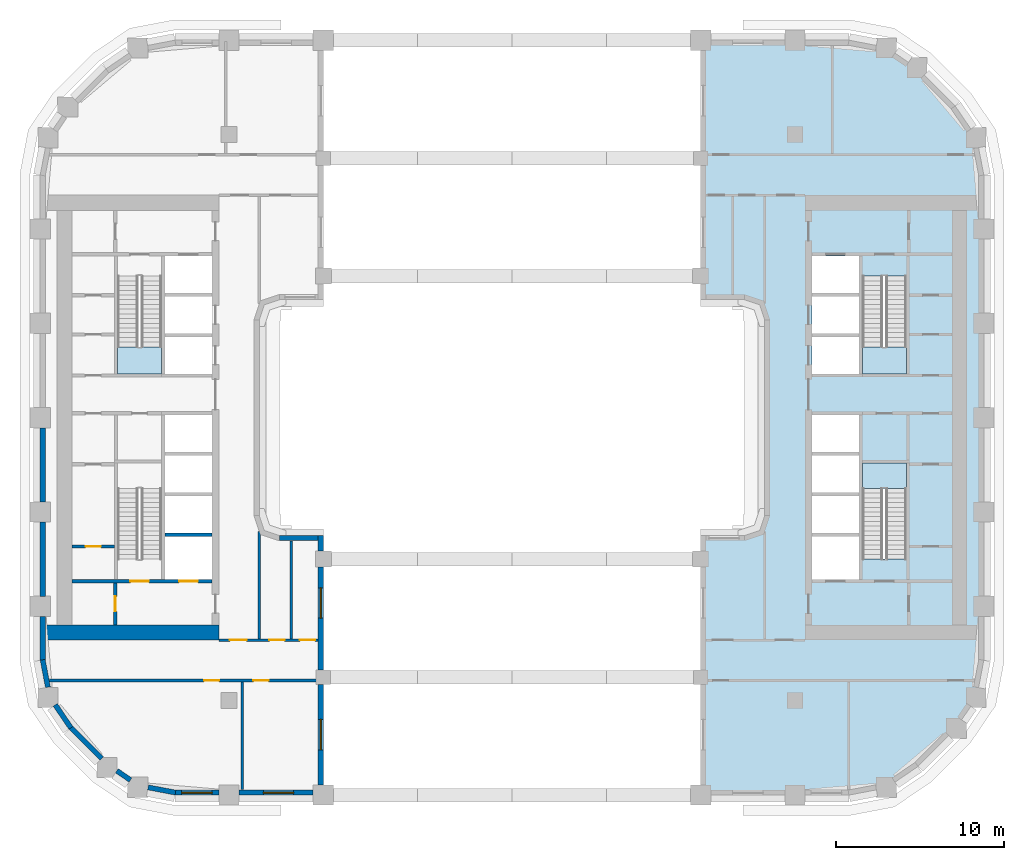
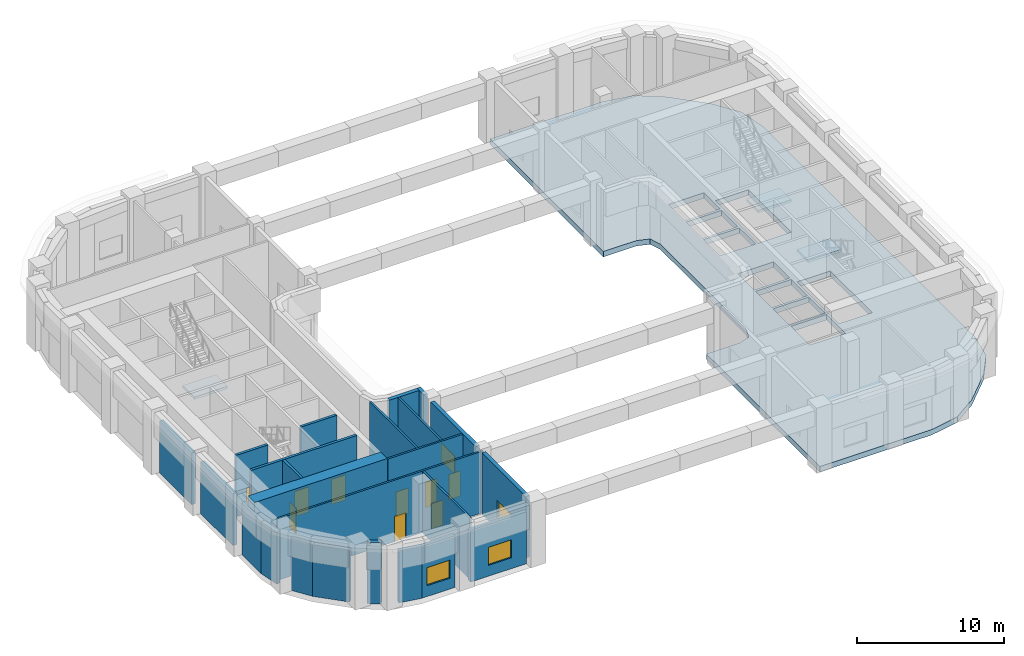
# One storey, part 2 of 14: 24 walls, 9 doors, 4 slabs, 4 windows, 13 openings, 3 elements without a shape of their own.
"""IFC4 building model written with IfcOpenShell, lengths in metres."""

from ifc_helpers import new_model, si_unit, direction, frame, frame_2d, origin, place, context, subcontext, project, spatial, polyline, rectangle, outline, extrude, material, layer, layer_set, type_object, element, fill, aggregate, save


model = new_model("IFC4")

# Units and contexts
model_context = context("Model", 3, precision=1e-05, world=origin(), true_north=direction((0.0, 1.0)))
body_context = subcontext(model_context, "Body", "Model", "MODEL_VIEW")
ifc_project = project(units=[si_unit("LENGTHUNIT", "METRE"), si_unit("AREAUNIT", "SQUARE_METRE"), si_unit("VOLUMEUNIT", "CUBIC_METRE"), si_unit("PLANEANGLEUNIT", "RADIAN"), si_unit("MASSUNIT", "GRAM", prefix="KILO")], contexts=[model_context])

# Site, building, storey
site_placement = place(None, origin())
site = spatial("IfcSite", under=ifc_project, at=site_placement, CompositionType="ELEMENT")
building_placement = place(site_placement, origin())
building = spatial("IfcBuilding", under=site, at=building_placement, Name="Kiln Ring Residences", CompositionType="ELEMENT")
storey_placement = place(building_placement, frame((0.0, 0.0, 130.699951171875)))
storey = spatial("IfcBuildingStorey", under=building, at=storey_placement, Name="L33", CompositionType="ELEMENT", Elevation=130.699951171875)

# Stair, slab
ifc_material_1 = material(Name="Concrete C40/50", Category="concrete")
stair_type = type_object("IfcStairType", Name="CORE-STAIR", PredefinedType="HALF_TURN_STAIR", material=ifc_material_1)
placement_1 = place(storey_placement, origin())
stair_1 = element("IfcStair", 1, at=placement_1, inside=storey, type_object=stair_type, Name="L33 stair W-STN", PredefinedType="HALF_TURN_STAIR")
ifc_material_2 = material(Name="Concrete C40/50", Category="concrete")
ifc_layer_1 = layer(ifc_material_2, 0.199951171875)
ifc_layer_set_1 = layer_set([ifc_layer_1], Name="CORE-STAIR-LANDING")
slab_type_1 = type_object("IfcSlabType", Name="CORE-STAIR-LANDING", PredefinedType="LANDING", material=ifc_layer_set_1)
placement_2 = place(storey_placement, frame((0.0, 0.0, 2.5)))
slab_1 = element("IfcSlab", 2, at=placement_2, type_object=slab_type_1, Name="W-STN landing 1", PredefinedType="LANDING", context=body_context, shape_type="SweptSolid", body=[
    extrude(outline(polyline([(-23.39990234375, 4.199951171875), (-23.39990234375, 2.60009765625), (-20.800048828125, 2.60009765625), (-20.800048828125, 4.199951171875), (-23.39990234375, 4.199951171875)])), origin(), (0.0, 0.0, 1.0), 0.199951171875),
])
aggregate(stair_1, [slab_1])

stair_2 = element("IfcStair", 3, at=placement_1, inside=storey, type_object=stair_type, Name="L33 stair E-STN", PredefinedType="HALF_TURN_STAIR")
slab_2 = element("IfcSlab", 4, at=placement_2, type_object=slab_type_1, Name="E-STN landing 1", PredefinedType="LANDING", context=body_context, shape_type="SweptSolid", body=[
    extrude(outline(polyline([(20.800048828125, 4.199951171875), (20.800048828125, 2.60009765625), (23.39990234375, 2.60009765625), (23.39990234375, 4.199951171875), (20.800048828125, 4.199951171875)])), origin(), (0.0, 0.0, 1.0), 0.199951171875),
])
aggregate(stair_2, [slab_2])

stair_3 = element("IfcStair", 5, at=placement_1, inside=storey, type_object=stair_type, Name="L33 stair E-STS", PredefinedType="HALF_TURN_STAIR")
slab_3 = element("IfcSlab", 6, at=placement_2, type_object=slab_type_1, Name="E-STS landing 1", PredefinedType="LANDING", context=body_context, shape_type="SweptSolid", body=[
    extrude(outline(polyline([(23.39990234375, -4.199951171875), (23.39990234375, -2.699951171875), (20.800048828125, -2.699951171875), (20.800048828125, -4.199951171875), (23.39990234375, -4.199951171875)])), origin(), (0.0, 0.0, 1.0), 0.199951171875),
])
aggregate(stair_3, [slab_3])

# Slab
ifc_material_3 = material(Name="Concrete C40/50", Category="concrete")
ifc_layer_2 = layer(ifc_material_3, 0.449951171875)
ifc_layer_set_2 = layer_set([ifc_layer_2], Name="Floor slab 450")
slab_type_2 = type_object("IfcSlabType", Name="Floor slab 450", PredefinedType="FLOOR", material=ifc_layer_set_2)
slab_4_placement = place(storey_placement, frame((0.0, 0.0, -0.449951171875)))
element("IfcSlab", 7, at=slab_4_placement, inside=storey, type_object=slab_type_2, Name="Floor slab L33 2", PredefinedType="FLOOR", context=body_context, shape_type="SweptSolid", body=[
    extrude(outline(polyline([(13.800048828125, -7.0), (11.199951171875, -7.0), (11.199951171875, -22.39990234375), (20.0, -22.39990234375), (22.224365234375, -21.975830078125), (24.09716796875, -20.702880859375), (26.302978515625, -18.4970703125), (27.57568359375, -16.624267578125), (28.0, -14.39990234375), (28.0, 14.39990234375), (27.57568359375, 16.624267578125), (26.302978515625, 18.4970703125), (24.09716796875, 20.702880859375), (22.224365234375, 21.975830078125), (20.0, 22.39990234375), (11.199951171875, 22.39990234375), (11.199951171875, 7.0), (13.800048828125, 7.0), (14.699951171875, 6.699951171875), (15.0, 5.800048828125), (15.0, -5.800048828125), (14.699951171875, -6.699951171875), (13.800048828125, -7.0)]), holes=[polyline([(20.800048828125, 2.60009765625), (20.800048828125, 8.39794921875), (23.39990234375, 8.39794921875), (23.39990234375, 2.60009765625), (20.800048828125, 2.60009765625)]), polyline([(20.800048828125, -8.39794921875), (20.800048828125, -2.699951171875), (23.39990234375, -2.699951171875), (23.39990234375, -8.39794921875), (20.800048828125, -8.39794921875)]), polyline([(17.800048828125, -9.60009765625), (17.800048828125, -7.050048828125), (20.60009765625, -7.050048828125), (20.60009765625, -9.60009765625), (17.800048828125, -9.60009765625)]), polyline([(17.800048828125, 9.60009765625), (20.60009765625, 9.60009765625), (20.60009765625, 7.39990234375), (17.800048828125, 7.39990234375), (17.800048828125, 9.60009765625)]), polyline([(17.800048828125, 7.199951171875), (20.60009765625, 7.199951171875), (20.60009765625, 5.0), (17.800048828125, 5.0), (17.800048828125, 7.199951171875)]), polyline([(17.800048828125, 2.60009765625), (17.800048828125, 4.800048828125), (20.60009765625, 4.800048828125), (20.60009765625, 2.60009765625), (17.800048828125, 2.60009765625)]), polyline([(17.800048828125, -2.050048828125), (17.800048828125, 0.14990234375), (20.60009765625, 0.14990234375), (20.60009765625, -2.050048828125), (17.800048828125, -2.050048828125)]), polyline([(17.800048828125, -4.449951171875), (17.800048828125, -2.25), (20.60009765625, -2.25), (20.60009765625, -4.449951171875), (17.800048828125, -4.449951171875)]), polyline([(17.800048828125, -6.85009765625), (17.800048828125, -4.64990234375), (20.60009765625, -4.64990234375), (20.60009765625, -6.85009765625), (17.800048828125, -6.85009765625)])]), origin(), (0.0, 0.0, 1.0), 0.449951171875),
])

# Wall, opening, door
ifc_material_4 = material(Name="Gypsum board on steel studs", Category="steel")
ifc_layer_3 = layer(ifc_material_4, 0.199951171875)
ifc_layer_set_3 = layer_set([ifc_layer_3], Name="CORE-PARTITION-200")
wall_type_1 = type_object("IfcWallType", Name="CORE-PARTITION-200", PredefinedType="PARTITIONING", material=ifc_layer_set_3)
wall_1_placement = place(storey_placement, frame((-23.550048828125, -12.300048828125, 0.0), z_axis=(0.0, 0.0, 1.0), x_axis=(0.0, 1.0, 0.0)))
wall_1 = element("IfcWall", 8, at=wall_1_placement, inside=storey, type_object=wall_type_1, Name="Core partition west L33 4", PredefinedType="PARTITIONING", context=body_context, shape_type="SweptSolid", body=[
    extrude(rectangle(XDim=2.5, YDim=0.199951171875, at=frame_2d((1.25, 0.0))), origin(), (0.0, 0.0, 1.0), 5.10009765625),
])
opening_1_placement = place(wall_1_placement, frame((0.800048828125, 0.0, 0.0)))
opening_1 = element("IfcOpeningElement", 9, at=opening_1_placement, cuts=wall_1, Name="Opening L33-CW08", PredefinedType="OPENING", context=body_context, shape_type="SweptSolid", body=[
    extrude(rectangle(XDim=0.89990234375, YDim=2.10009765625, at=frame_2d((0.449951171875, 1.050048828125))), frame((0.0, 0.10986328125, 0.0), z_axis=(0.0, -1.0, 0.0), x_axis=(1.0, 0.0, 0.0)), (0.0, 0.0, 1.0), 0.219970703125),
])
ifc_material_5 = material(Name="Steel door leaf", Category="steel")
door_type_1 = type_object("IfcDoorType", Name="CORE-DOOR-ROOM", OperationType="SINGLE_SWING_LEFT", PredefinedType="DOOR", material=ifc_material_5)
door_1_placement = place(opening_1_placement, origin())
door_1 = element("IfcDoor", 10, at=door_1_placement, inside=storey, type_object=door_type_1, Name="Store L33-CW08", OperationType="SINGLE_SWING_RIGHT", OverallHeight=2.10009765625, OverallWidth=0.89990234375, PredefinedType="DOOR", context=body_context, shape_type="SweptSolid", body=[
    extrude(rectangle(XDim=0.89990234375, YDim=2.10009765625, at=frame_2d((0.449951171875, 1.050048828125))), frame((0.0, 0.02490234375, 0.0), z_axis=(0.0, -1.0, 0.0), x_axis=(1.0, 0.0, 0.0)), (0.0, 0.0, 1.0), 0.050048828125),
])
fill(opening_1, door_1)

wall_2_placement = place(storey_placement, frame((-23.60009765625, -7.64990234375, 0.0), z_axis=(0.0, 0.0, 1.0), x_axis=(-1.0, 0.0, 0.0)))
wall_2 = element("IfcWall", 11, at=wall_2_placement, inside=storey, type_object=wall_type_1, Name="Core partition west L33 5", PredefinedType="PARTITIONING", context=body_context, shape_type="SweptSolid", body=[
    extrude(rectangle(XDim=2.5, YDim=0.199951171875, at=frame_2d((1.25, 0.0))), origin(), (0.0, 0.0, 1.0), 5.10009765625),
])
opening_2_placement = place(wall_2_placement, frame((0.800048828125, 0.0, 0.0)))
opening_2 = element("IfcOpeningElement", 12, at=opening_2_placement, cuts=wall_2, Name="Opening L33-CW13", PredefinedType="OPENING", context=body_context, shape_type="SweptSolid", body=[
    extrude(rectangle(XDim=0.89990234375, YDim=2.10009765625, at=frame_2d((0.449951171875, 1.050048828125))), frame((0.0, 0.10986328125, 0.0), z_axis=(0.0, -1.0, 0.0), x_axis=(1.0, 0.0, 0.0)), (0.0, 0.0, 1.0), 0.219970703125),
])
door_2_placement = place(opening_2_placement, origin())
door_2 = element("IfcDoor", 13, at=door_2_placement, inside=storey, type_object=door_type_1, Name="Plant room L33-CW13", OperationType="SINGLE_SWING_RIGHT", OverallHeight=2.10009765625, OverallWidth=0.89990234375, PredefinedType="DOOR", context=body_context, shape_type="SweptSolid", body=[
    extrude(rectangle(XDim=0.89990234375, YDim=2.10009765625, at=frame_2d((0.449951171875, 1.050048828125))), frame((0.0, 0.02490234375, 0.0), z_axis=(0.0, -1.0, 0.0), x_axis=(1.0, 0.0, 0.0)), (0.0, 0.0, 1.0), 0.050048828125),
])
fill(opening_2, door_2)

# Wall
ifc_material_6 = material(Name="Gypsum shaft wall system")
ifc_layer_4 = layer(ifc_material_6, 0.199951171875)
ifc_layer_set_4 = layer_set([ifc_layer_4], Name="CORE-SHAFT-WALL-200")
wall_type_2 = type_object("IfcWallType", Name="CORE-SHAFT-WALL-200", PredefinedType="PARTITIONING", material=ifc_layer_set_4)
wall_3_placement = place(storey_placement, frame((-17.800048828125, -6.949951171875, 0.0), z_axis=(0.0, 0.0, 1.0), x_axis=(-1.0, 0.0, 0.0)))
element("IfcWall", 14, at=wall_3_placement, inside=storey, type_object=wall_type_2, Name="Core partition west L33 9", PredefinedType="PARTITIONING", context=body_context, shape_type="SweptSolid", body=[
    extrude(rectangle(XDim=2.800048828125, YDim=0.199951171875, at=frame_2d((1.39990234375, 0.0))), origin(), (0.0, 0.0, 1.0), 5.10009765625),
])

# Wall, openings, doors
ifc_material_7 = material(Name="Concrete C40/50", Category="concrete")
ifc_layer_5 = layer(ifc_material_7, 0.199951171875)
ifc_layer_set_5 = layer_set([ifc_layer_5], Name="CORE-WALL-RC200")
wall_type_3 = type_object("IfcWallType", Name="CORE-WALL-RC200", PredefinedType="SHEAR", material=ifc_layer_set_5)
wall_4_placement = place(storey_placement, frame((-17.800048828125, -9.699951171875, 0.0), z_axis=(0.0, 0.0, 1.0), x_axis=(-1.0, 0.0, 0.0)))
wall_4 = element("IfcWall", 15, at=wall_4_placement, inside=storey, type_object=wall_type_3, Name="Core wall west L33 8", PredefinedType="SHEAR", context=body_context, shape_type="SweptSolid", body=[
    extrude(rectangle(XDim=8.300048828125, YDim=0.199951171875, at=frame_2d((4.14990234375, 0.0))), origin(), (0.0, 0.0, 1.0), 5.10009765625),
])
opening_3_placement = place(wall_4_placement, frame((0.85009765625, 0.0, 0.0)))
opening_3 = element("IfcOpeningElement", 16, at=opening_3_placement, cuts=wall_4, Name="Opening L33-CW01", PredefinedType="OPENING", context=body_context, shape_type="SweptSolid", body=[
    extrude(rectangle(XDim=1.10009765625, YDim=2.10009765625, at=frame_2d((0.550048828125, 1.050048828125))), frame((0.0, 0.10986328125, 0.0), z_axis=(0.0, -1.0, 0.0), x_axis=(1.0, 0.0, 0.0)), (0.0, 0.0, 1.0), 0.219970703125),
])
opening_4_placement = place(wall_4_placement, frame((3.75, 0.0, 0.0)))
opening_4 = element("IfcOpeningElement", 17, at=opening_4_placement, cuts=wall_4, Name="Opening L33-CW10", PredefinedType="OPENING", context=body_context, shape_type="SweptSolid", body=[
    extrude(rectangle(XDim=1.10009765625, YDim=2.10009765625, at=frame_2d((0.550048828125, 1.050048828125))), frame((0.0, 0.10986328125, 0.0), z_axis=(0.0, -1.0, 0.0), x_axis=(1.0, 0.0, 0.0)), (0.0, 0.0, 1.0), 0.219970703125),
])
ifc_material_8 = material(Name="Steel door leaf", Category="steel")
door_type_2 = type_object("IfcDoorType", Name="CORE-DOOR-LD", OperationType="DOUBLE_DOOR_SLIDING", PredefinedType="DOOR", material=ifc_material_8)
door_3_placement = place(opening_3_placement, origin())
door_3 = element("IfcDoor", 18, at=door_3_placement, inside=storey, type_object=door_type_2, Name="LD W-SV L33-CW01", OperationType="DOUBLE_DOOR_SLIDING", OverallHeight=2.10009765625, OverallWidth=1.10009765625, PredefinedType="DOOR", context=body_context, shape_type="SweptSolid", body=[
    extrude(rectangle(XDim=1.10009765625, YDim=2.10009765625, at=frame_2d((0.550048828125, 1.050048828125))), frame((0.0, 0.02490234375, 0.0), z_axis=(0.0, -1.0, 0.0), x_axis=(1.0, 0.0, 0.0)), (0.0, 0.0, 1.0), 0.050048828125),
])
fill(opening_3, door_3)
ifc_material_9 = material(Name="Steel door leaf", Category="steel")
door_type_3 = type_object("IfcDoorType", Name="CORE-DOOR-STAIR", OperationType="SINGLE_SWING_LEFT", PredefinedType="DOOR", material=ifc_material_9)
door_4_placement = place(opening_4_placement, origin())
door_4 = element("IfcDoor", 19, at=door_4_placement, inside=storey, type_object=door_type_3, Name="Stair W-STS L33-CW10", OperationType="SINGLE_SWING_LEFT", OverallHeight=2.10009765625, OverallWidth=1.10009765625, PredefinedType="DOOR", context=body_context, shape_type="SweptSolid", body=[
    extrude(rectangle(XDim=1.10009765625, YDim=2.10009765625, at=frame_2d((0.550048828125, 1.050048828125))), frame((0.0, 0.02490234375, 0.0), z_axis=(0.0, -1.0, 0.0), x_axis=(1.0, 0.0, 0.0)), (0.0, 0.0, 1.0), 0.050048828125),
])
fill(opening_4, door_4)

# Walls
ifc_material_10 = material(Name="Concrete C60/75", Category="concrete")
ifc_layer_6 = layer(ifc_material_10, 0.89990234375)
ifc_layer_set_6 = layer_set([ifc_layer_6], Name="CORE-WALL-RC900")
wall_type_4 = type_object("IfcWallType", Name="CORE-WALL-RC900", PredefinedType="SHEAR", material=ifc_layer_set_6)
wall_5_placement = place(storey_placement, frame((-17.39990234375, -12.75, 0.0), z_axis=(0.0, 0.0, 1.0), x_axis=(-1.0, 0.0, 0.0)))
element("IfcWall", 20, at=wall_5_placement, inside=storey, type_object=wall_type_4, Name="Core wall west L33 5", PredefinedType="SHEAR", context=body_context, shape_type="SweptSolid", body=[
    extrude(rectangle(XDim=10.400146484375, YDim=0.89990234375, at=frame_2d((5.2001953125, 0.0))), origin(), (0.0, 0.0, 1.0), 5.10009765625),
])
ifc_material_11 = material(Name="Brick masonry, dark clay brick", Category="masonry")
ifc_layer_7 = layer(ifc_material_11, 0.300048828125)
ifc_layer_set_7 = layer_set([ifc_layer_7], Name="EW-300 BRICK WALL")
wall_type_5 = type_object("IfcWallType", Name="EW-300 BRICK WALL", PredefinedType="SOLIDWALL", material=ifc_layer_set_7)
for number, where, z_axis, x_axis, name in (
    (21, (-27.8525390625, -14.371826171875, 0.0), (0.0, 0.0, 1.0), (0.187349172861, -0.982293381546, 0.0), "Facade wall L33 1"),
    (22, (-27.10986328125, -17.04296875, 0.0), (0.0, 0.0, 1.0), (0.562060017944, -0.82709644917, 0.0), "Facade wall L33 2"),
):
    element("IfcWall", number, at=place(storey_placement, frame(where, z_axis=z_axis, x_axis=x_axis)), inside=storey, type_object=wall_type_5, Name=name, PredefinedType="SOLIDWALL", context=body_context, shape_type="SweptSolid", body=[
        extrude(rectangle(XDim=1.65625, YDim=0.300048828125, at=frame_2d((0.828125, 0.0))), origin(), (0.0, 0.0, 1.0), 4.300048828125),
    ])
wall_6_placement = place(storey_placement, frame((-26.19677734375, -18.390869140625, 0.0), z_axis=(0.0, 0.0, 1.0), x_axis=(0.707059830104, -0.707153729152, 0.0)))
element("IfcWall", 23, at=wall_6_placement, inside=storey, type_object=wall_type_5, Name="Facade wall L33 3", PredefinedType="SOLIDWALL", context=body_context, shape_type="SweptSolid", body=[
    extrude(rectangle(XDim=2.60009765625, YDim=0.300048828125, at=frame_2d((1.300048828125, 0.0))), origin(), (0.0, 0.0, 1.0), 4.300048828125),
])
wall_7_placement = place(storey_placement, frame((-23.451171875, -20.96044921875, 0.0), z_axis=(0.0, 0.0, 1.0), x_axis=(0.827019434577, -0.562173331661, 0.0)))
element("IfcWall", 24, at=wall_7_placement, inside=storey, type_object=wall_type_5, Name="Facade wall L33 4", PredefinedType="SOLIDWALL", context=body_context, shape_type="SweptSolid", body=[
    extrude(rectangle(XDim=0.97705078125, YDim=0.300048828125, at=frame_2d((0.488525390625, 0.0))), origin(), (0.0, 0.0, 1.0), 5.10009765625),
])
wall_8_placement = place(storey_placement, frame((-21.5986328125, -21.9423828125, 0.0), z_axis=(0.0, 0.0, 1.0), x_axis=(0.98228820662, -0.187376303559, 0.0)))
element("IfcWall", 25, at=wall_8_placement, inside=storey, type_object=wall_type_5, Name="Facade wall L33 5", PredefinedType="SOLIDWALL", context=body_context, shape_type="SweptSolid", body=[
    extrude(rectangle(XDim=1.656005859375, YDim=0.300048828125, at=frame_2d((0.828125, 0.0))), origin(), (0.0, 0.0, 1.0), 4.300048828125),
])

# Wall, opening, window
wall_9_placement = place(storey_placement, frame((-20.0, -22.25, 0.0), z_axis=(0.0, 0.0, 1.0), x_axis=(1.0, 0.0, 0.0)))
wall_9 = element("IfcWall", 26, at=wall_9_placement, inside=storey, type_object=wall_type_5, Name="Facade wall L33 6", PredefinedType="SOLIDWALL", context=body_context, shape_type="SweptSolid", body=[
    extrude(rectangle(XDim=2.60009765625, YDim=0.300048828125, at=frame_2d((1.300048828125, 0.0))), origin(), (0.0, 0.0, 1.0), 4.300048828125),
])
opening_5_placement = place(wall_9_placement, frame((0.39990234375, 0.0, 0.89990234375)))
opening_5 = element("IfcOpeningElement", 27, at=opening_5_placement, cuts=wall_9, Name="Opening LV1", PredefinedType="OPENING", context=body_context, shape_type="SweptSolid", body=[
    extrude(rectangle(XDim=1.800048828125, YDim=1.5, at=frame_2d((0.89990234375, 0.75))), frame((0.0, 0.159912109375, 0.0), z_axis=(0.0, -1.0, 0.0), x_axis=(1.0, 0.0, 0.0)), (0.0, 0.0, 1.0), 0.320068359375),
])
ifc_material_12 = material(Name="Aluminium louvre", Category="aluminium")
window_type = type_object("IfcWindowType", Name="LOUVRED VENT 1800 x 1500", PartitioningType="SINGLE_PANEL", PredefinedType="WINDOW", material=ifc_material_12)
window_1_placement = place(opening_5_placement, origin())
window_1 = element("IfcWindow", 28, at=window_1_placement, inside=storey, type_object=window_type, Name="Louvred vent L33 1", OverallHeight=1.5, OverallWidth=1.800048828125, PartitioningType="SINGLE_PANEL", PredefinedType="WINDOW", context=body_context, shape_type="SweptSolid", body=[
    extrude(rectangle(XDim=1.800048828125, YDim=1.5, at=frame_2d((0.89990234375, 0.75))), frame((0.0, 0.030029296875, 0.0), z_axis=(0.0, -1.0, 0.0), x_axis=(1.0, 0.0, 0.0)), (0.0, 0.0, 1.0), 0.06005859375),
])
fill(opening_5, window_1)

wall_10_placement = place(storey_placement, frame((-16.199951171875, -22.25, 0.0), z_axis=(0.0, 0.0, 1.0), x_axis=(1.0, 0.0, 0.0)))
wall_10 = element("IfcWall", 29, at=wall_10_placement, inside=storey, type_object=wall_type_5, Name="Facade wall L33 7", PredefinedType="SOLIDWALL", context=body_context, shape_type="SweptSolid", body=[
    extrude(rectangle(XDim=4.39990234375, YDim=0.300048828125, at=frame_2d((2.199951171875, 0.0))), origin(), (0.0, 0.0, 1.0), 4.300048828125),
])
opening_6_placement = place(wall_10_placement, frame((1.4375, 0.0, 0.89990234375)))
opening_6 = element("IfcOpeningElement", 30, at=opening_6_placement, cuts=wall_10, Name="Opening LV1", PredefinedType="OPENING", context=body_context, shape_type="SweptSolid", body=[
    extrude(rectangle(XDim=1.800048828125, YDim=1.5, at=frame_2d((0.89990234375, 0.75))), frame((0.0, 0.159912109375, 0.0), z_axis=(0.0, -1.0, 0.0), x_axis=(1.0, 0.0, 0.0)), (0.0, 0.0, 1.0), 0.320068359375),
])
window_2_placement = place(opening_6_placement, origin())
window_2 = element("IfcWindow", 31, at=window_2_placement, inside=storey, type_object=window_type, Name="Louvred vent L33 2", OverallHeight=1.5, OverallWidth=1.800048828125, PartitioningType="SINGLE_PANEL", PredefinedType="WINDOW", context=body_context, shape_type="SweptSolid", body=[
    extrude(rectangle(XDim=1.800048828125, YDim=1.5, at=frame_2d((0.89990234375, 0.75))), frame((0.0, 0.030029296875, 0.0), z_axis=(0.0, -1.0, 0.0), x_axis=(1.0, 0.0, 0.0)), (0.0, 0.0, 1.0), 0.06005859375),
])
fill(opening_6, window_2)

wall_11_placement = place(storey_placement, frame((-11.35009765625, -21.800048828125, 0.0), z_axis=(0.0, 0.0, 1.0), x_axis=(0.0, 1.0, 0.0)))
wall_11 = element("IfcWall", 32, at=wall_11_placement, inside=storey, type_object=wall_type_5, Name="Facade wall L33 8", PredefinedType="SOLIDWALL", context=body_context, shape_type="SweptSolid", body=[
    extrude(rectangle(XDim=5.97509765625, YDim=0.300048828125, at=frame_2d((2.987548828125, 0.0))), origin(), (0.0, 0.0, 1.0), 5.10009765625),
])
opening_7_placement = place(wall_11_placement, frame((2.08740234375, 0.0, 0.89990234375)))
opening_7 = element("IfcOpeningElement", 33, at=opening_7_placement, cuts=wall_11, Name="Opening LV1", PredefinedType="OPENING", context=body_context, shape_type="SweptSolid", body=[
    extrude(rectangle(XDim=1.800048828125, YDim=1.5, at=frame_2d((0.89990234375, 0.75))), frame((0.0, 0.159912109375, 0.0), z_axis=(0.0, -1.0, 0.0), x_axis=(1.0, 0.0, 0.0)), (0.0, 0.0, 1.0), 0.320068359375),
])
window_3_placement = place(opening_7_placement, origin())
window_3 = element("IfcWindow", 34, at=window_3_placement, inside=storey, type_object=window_type, Name="Louvred vent L33 3", OverallHeight=1.5, OverallWidth=1.800048828125, PartitioningType="SINGLE_PANEL", PredefinedType="WINDOW", context=body_context, shape_type="SweptSolid", body=[
    extrude(rectangle(XDim=1.800048828125, YDim=1.5, at=frame_2d((0.89990234375, 0.75))), frame((0.0, 0.030029296875, 0.0), z_axis=(0.0, -1.0, 0.0), x_axis=(1.0, 0.0, 0.0)), (0.0, 0.0, 1.0), 0.06005859375),
])
fill(opening_7, window_3)

wall_12_placement = place(storey_placement, frame((-11.35009765625, -14.97509765625, 0.0), z_axis=(0.0, 0.0, 1.0), x_axis=(0.0, 1.0, 0.0)))
wall_12 = element("IfcWall", 35, at=wall_12_placement, inside=storey, type_object=wall_type_5, Name="Facade wall L33 9", PredefinedType="SOLIDWALL", context=body_context, shape_type="SweptSolid", body=[
    extrude(rectangle(XDim=6.10009765625, YDim=0.300048828125, at=frame_2d((3.050048828125, 0.0))), origin(), (0.0, 0.0, 1.0), 5.10009765625),
])
opening_8_placement = place(wall_12_placement, frame((3.074951171875, 0.0, 0.89990234375)))
opening_8 = element("IfcOpeningElement", 36, at=opening_8_placement, cuts=wall_12, Name="Opening LV1", PredefinedType="OPENING", context=body_context, shape_type="SweptSolid", body=[
    extrude(rectangle(XDim=1.800048828125, YDim=1.5, at=frame_2d((0.89990234375, 0.75))), frame((0.0, 0.159912109375, 0.0), z_axis=(0.0, -1.0, 0.0), x_axis=(1.0, 0.0, 0.0)), (0.0, 0.0, 1.0), 0.320068359375),
])
window_4_placement = place(opening_8_placement, origin())
window_4 = element("IfcWindow", 37, at=window_4_placement, inside=storey, type_object=window_type, Name="Louvred vent L33 4", OverallHeight=1.5, OverallWidth=1.800048828125, PartitioningType="SINGLE_PANEL", PredefinedType="WINDOW", context=body_context, shape_type="SweptSolid", body=[
    extrude(rectangle(XDim=1.800048828125, YDim=1.5, at=frame_2d((0.89990234375, 0.75))), frame((0.0, 0.030029296875, 0.0), z_axis=(0.0, -1.0, 0.0), x_axis=(1.0, 0.0, 0.0)), (0.0, 0.0, 1.0), 0.06005859375),
])
fill(opening_8, window_4)

# Walls
wall_13_placement = place(storey_placement, frame((-11.35009765625, -7.925048828125, 0.0), z_axis=(0.0, 0.0, 1.0), x_axis=(0.0, 1.0, 0.0)))
element("IfcWall", 38, at=wall_13_placement, inside=storey, type_object=wall_type_5, Name="Facade wall L33 10", PredefinedType="SOLIDWALL", context=body_context, shape_type="SweptSolid", body=[
    extrude(rectangle(XDim=0.925048828125, YDim=0.300048828125, at=frame_2d((0.46240234375, 0.0))), origin(), (0.0, 0.0, 1.0), 5.10009765625),
])
wall_14_placement = place(storey_placement, frame((-11.199951171875, -7.14990234375, 0.0), z_axis=(0.0, 0.0, 1.0), x_axis=(-1.0, 0.0, 0.0)))
element("IfcWall", 39, at=wall_14_placement, inside=storey, type_object=wall_type_5, Name="Facade wall L33 11", PredefinedType="SOLIDWALL", context=body_context, shape_type="SweptSolid", body=[
    extrude(rectangle(XDim=2.60009765625, YDim=0.300048828125, at=frame_2d((1.300048828125, 0.0))), origin(), (0.0, 0.0, 1.0), 5.10009765625),
])
wall_15_placement = place(storey_placement, frame((-27.85009765625, -0.60009765625, 0.0), z_axis=(0.0, 0.0, 1.0), x_axis=(0.0, -1.0, 0.0)))
element("IfcWall", 40, at=wall_15_placement, inside=storey, type_object=wall_type_5, Name="Facade wall L33 27", PredefinedType="SOLIDWALL", context=body_context, shape_type="SweptSolid", body=[
    extrude(rectangle(XDim=4.39990234375, YDim=0.300048828125, at=frame_2d((2.199951171875, 0.0))), origin(), (0.0, 0.0, 1.0), 4.300048828125),
])
wall_16_placement = place(storey_placement, frame((-27.85009765625, -6.199951171875, 0.0), z_axis=(0.0, 0.0, 1.0), x_axis=(0.0, -1.0, 0.0)))
element("IfcWall", 41, at=wall_16_placement, inside=storey, type_object=wall_type_5, Name="Facade wall L33 28", PredefinedType="SOLIDWALL", context=body_context, shape_type="SweptSolid", body=[
    extrude(rectangle(XDim=4.400146484375, YDim=0.300048828125, at=frame_2d((2.2001953125, 0.0))), origin(), (0.0, 0.0, 1.0), 4.300048828125),
])
wall_17_placement = place(storey_placement, frame((-27.85009765625, -11.800048828125, 0.0), z_axis=(0.0, 0.0, 1.0), x_axis=(0.0, -1.0, 0.0)))
element("IfcWall", 42, at=wall_17_placement, inside=storey, type_object=wall_type_5, Name="Facade wall L33 29", PredefinedType="SOLIDWALL", context=body_context, shape_type="SweptSolid", body=[
    extrude(rectangle(XDim=2.599853515625, YDim=0.300048828125, at=frame_2d((1.2998046875, 0.0))), origin(), (0.0, 0.0, 1.0), 4.300048828125),
])

# Wall, openings, doors
ifc_material_13 = material(Name="Brick masonry partition", Category="masonry")
ifc_layer_8 = layer(ifc_material_13, 0.14990234375)
ifc_layer_set_8 = layer_set([ifc_layer_8], Name="PARTITION-150-ei60")
wall_type_6 = type_object("IfcWallType", Name="PARTITION-150-ei60", PredefinedType="PARTITIONING", material=ifc_layer_set_8)
wall_18_placement = place(storey_placement, frame((-27.44580078125, -15.60009765625, 0.0), z_axis=(0.0, 0.0, 1.0), x_axis=(1.0, 0.0, 0.0)))
wall_18 = element("IfcWall", 43, at=wall_18_placement, inside=storey, type_object=wall_type_6, Name="Partition 000", PredefinedType="PARTITIONING", context=body_context, shape_type="SweptSolid", body=[
    extrude(rectangle(XDim=16.15576171875, YDim=0.14990234375, at=frame_2d((8.077880859375, 0.0))), origin(), (0.0, 0.0, 1.0), 5.10009765625),
])
opening_9_placement = place(wall_18_placement, frame((12.095703125, 0.0, 0.0)))
opening_9 = element("IfcOpeningElement", 44, at=opening_9_placement, cuts=wall_18, Name="Opening L33-D013", PredefinedType="OPENING", context=body_context, shape_type="SweptSolid", body=[
    extrude(rectangle(XDim=0.89990234375, YDim=2.10009765625, at=frame_2d((0.449951171875, 1.050048828125))), frame((0.0, 0.0849609375, 0.0), z_axis=(0.0, -1.0, 0.0), x_axis=(1.0, 0.0, 0.0)), (0.0, 0.0, 1.0), 0.169921875),
])
opening_10_placement = place(wall_18_placement, frame((9.166748046875, 0.0, 0.0)))
opening_10 = element("IfcOpeningElement", 45, at=opening_10_placement, cuts=wall_18, Name="Opening L33-D014", PredefinedType="OPENING", context=body_context, shape_type="SweptSolid", body=[
    extrude(rectangle(XDim=0.89990234375, YDim=2.10009765625, at=frame_2d((0.449951171875, 1.050048828125))), frame((0.0, 0.0849609375, 0.0), z_axis=(0.0, -1.0, 0.0), x_axis=(1.0, 0.0, 0.0)), (0.0, 0.0, 1.0), 0.169921875),
])
ifc_material_14 = material(Name="Steel faced fire door leaf", Category="steel")
door_type_4 = type_object("IfcDoorType", Name="FLAT-DOOR-900-FR", OperationType="SINGLE_SWING_LEFT", PredefinedType="DOOR", material=ifc_material_14)
door_5_placement = place(opening_9_placement, origin())
door_5 = element("IfcDoor", 46, at=door_5_placement, inside=storey, type_object=door_type_4, Name="Door L33-D013", OperationType="SINGLE_SWING_LEFT", OverallHeight=2.10009765625, OverallWidth=0.89990234375, PredefinedType="DOOR", context=body_context, shape_type="SweptSolid", body=[
    extrude(rectangle(XDim=0.89990234375, YDim=2.10009765625, at=frame_2d((0.449951171875, 1.050048828125))), frame((0.0, 0.02490234375, 0.0), z_axis=(0.0, -1.0, 0.0), x_axis=(1.0, 0.0, 0.0)), (0.0, 0.0, 1.0), 0.050048828125),
])
fill(opening_9, door_5)
door_6_placement = place(opening_10_placement, origin())
door_6 = element("IfcDoor", 47, at=door_6_placement, inside=storey, type_object=door_type_4, Name="Door L33-D014", OperationType="SINGLE_SWING_RIGHT", OverallHeight=2.10009765625, OverallWidth=0.89990234375, PredefinedType="DOOR", context=body_context, shape_type="SweptSolid", body=[
    extrude(rectangle(XDim=0.89990234375, YDim=2.10009765625, at=frame_2d((0.449951171875, 1.050048828125))), frame((0.0, 0.02490234375, 0.0), z_axis=(0.0, -1.0, 0.0), x_axis=(1.0, 0.0, 0.0)), (0.0, 0.0, 1.0), 0.050048828125),
])
fill(opening_10, door_6)

wall_19_placement = place(storey_placement, frame((-17.39990234375, -13.199951171875, 0.0), z_axis=(0.0, 0.0, 1.0), x_axis=(1.0, 0.0, 0.0)))
wall_19 = element("IfcWall", 48, at=wall_19_placement, inside=storey, type_object=wall_type_6, Name="Partition 002", PredefinedType="PARTITIONING", context=body_context, shape_type="SweptSolid", body=[
    extrude(rectangle(XDim=5.8798828125, YDim=0.14990234375, at=frame_2d((2.93994140625, 0.0))), origin(), (0.0, 0.0, 1.0), 5.10009765625),
])
opening_11_placement = place(wall_19_placement, frame((0.64990234375, 0.0, 0.0)))
opening_11 = element("IfcOpeningElement", 49, at=opening_11_placement, cuts=wall_19, Name="Opening L33-D010", PredefinedType="OPENING", context=body_context, shape_type="SweptSolid", body=[
    extrude(rectangle(XDim=1.0, YDim=2.10009765625, at=frame_2d((0.5, 1.050048828125))), frame((0.0, 0.0849609375, 0.0), z_axis=(0.0, -1.0, 0.0), x_axis=(1.0, 0.0, 0.0)), (0.0, 0.0, 1.0), 0.169921875),
])
opening_12_placement = place(wall_19_placement, frame((4.81005859375, 0.0, 0.0)))
opening_12 = element("IfcOpeningElement", 50, at=opening_12_placement, cuts=wall_19, Name="Opening L33-D011", PredefinedType="OPENING", context=body_context, shape_type="SweptSolid", body=[
    extrude(rectangle(XDim=0.89990234375, YDim=2.10009765625, at=frame_2d((0.449951171875, 1.050048828125))), frame((0.0, 0.0849609375, 0.0), z_axis=(0.0, -1.0, 0.0), x_axis=(1.0, 0.0, 0.0)), (0.0, 0.0, 1.0), 0.169921875),
])
opening_13_placement = place(wall_19_placement, frame((3.0, 0.0, 0.0)))
opening_13 = element("IfcOpeningElement", 51, at=opening_13_placement, cuts=wall_19, Name="Opening L33-D012", PredefinedType="OPENING", context=body_context, shape_type="SweptSolid", body=[
    extrude(rectangle(XDim=0.89990234375, YDim=2.10009765625, at=frame_2d((0.449951171875, 1.050048828125))), frame((0.0, 0.0849609375, 0.0), z_axis=(0.0, -1.0, 0.0), x_axis=(1.0, 0.0, 0.0)), (0.0, 0.0, 1.0), 0.169921875),
])
ifc_material_15 = material(Name="Steel faced fire door leaf", Category="steel")
door_type_5 = type_object("IfcDoorType", Name="FLAT-DOOR-1000-FR", OperationType="SINGLE_SWING_LEFT", PredefinedType="DOOR", material=ifc_material_15)
door_7_placement = place(opening_11_placement, origin())
door_7 = element("IfcDoor", 52, at=door_7_placement, inside=storey, type_object=door_type_5, Name="Door L33-D010", OperationType="SINGLE_SWING_LEFT", OverallHeight=2.10009765625, OverallWidth=1.0, PredefinedType="DOOR", context=body_context, shape_type="SweptSolid", body=[
    extrude(rectangle(XDim=1.0, YDim=2.10009765625, at=frame_2d((0.5, 1.050048828125))), frame((0.0, 0.02490234375, 0.0), z_axis=(0.0, -1.0, 0.0), x_axis=(1.0, 0.0, 0.0)), (0.0, 0.0, 1.0), 0.050048828125),
])
fill(opening_11, door_7)
door_8_placement = place(opening_12_placement, origin())
door_8 = element("IfcDoor", 53, at=door_8_placement, inside=storey, type_object=door_type_4, Name="Door L33-D011", OperationType="SINGLE_SWING_LEFT", OverallHeight=2.10009765625, OverallWidth=0.89990234375, PredefinedType="DOOR", context=body_context, shape_type="SweptSolid", body=[
    extrude(rectangle(XDim=0.89990234375, YDim=2.10009765625, at=frame_2d((0.449951171875, 1.050048828125))), frame((0.0, 0.02490234375, 0.0), z_axis=(0.0, -1.0, 0.0), x_axis=(1.0, 0.0, 0.0)), (0.0, 0.0, 1.0), 0.050048828125),
])
fill(opening_12, door_8)
door_9_placement = place(opening_13_placement, origin())
door_9 = element("IfcDoor", 54, at=door_9_placement, inside=storey, type_object=door_type_4, Name="Door L33-D012", OperationType="SINGLE_SWING_RIGHT", OverallHeight=2.10009765625, OverallWidth=0.89990234375, PredefinedType="DOOR", context=body_context, shape_type="SweptSolid", body=[
    extrude(rectangle(XDim=0.89990234375, YDim=2.10009765625, at=frame_2d((0.449951171875, 1.050048828125))), frame((0.0, 0.02490234375, 0.0), z_axis=(0.0, -1.0, 0.0), x_axis=(1.0, 0.0, 0.0)), (0.0, 0.0, 1.0), 0.050048828125),
])
fill(opening_13, door_9)

# Walls
wall_20_placement = place(storey_placement, frame((-16.0, -22.080078125, 0.0), z_axis=(0.0, 0.0, 1.0), x_axis=(0.0, 1.0, 0.0)))
element("IfcWall", 55, at=wall_20_placement, inside=storey, type_object=wall_type_6, Name="Partition 009", PredefinedType="PARTITIONING", context=body_context, shape_type="SweptSolid", body=[
    extrude(rectangle(XDim=6.405029296875, YDim=0.14990234375, at=frame_2d((3.20263671875, 0.0))), origin(), (0.0, 0.0, 1.0), 5.10009765625),
])
wall_21_placement = place(storey_placement, frame((-15.0, -13.125, 0.0), z_axis=(0.0, 0.0, 1.0), x_axis=(0.0, 1.0, 0.0)))
element("IfcWall", 56, at=wall_21_placement, inside=storey, type_object=wall_type_6, Name="Partition 010", PredefinedType="PARTITIONING", context=body_context, shape_type="SweptSolid", body=[
    extrude(rectangle(XDim=6.356201171875, YDim=0.14990234375, at=frame_2d((3.17822265625, 0.0))), origin(), (0.0, 0.0, 1.0), 5.10009765625),
])
wall_22_placement = place(storey_placement, frame((-13.10009765625, -13.125, 0.0), z_axis=(0.0, 0.0, 1.0), x_axis=(0.0, 1.0, 0.0)))
element("IfcWall", 57, at=wall_22_placement, inside=storey, type_object=wall_type_6, Name="Partition 012", PredefinedType="PARTITIONING", context=body_context, shape_type="SweptSolid", body=[
    extrude(rectangle(XDim=5.804931640625, YDim=0.14990234375, at=frame_2d((2.90234375, 0.0))), origin(), (0.0, 0.0, 1.0), 5.10009765625),
])

save(model, "model.ifc")
